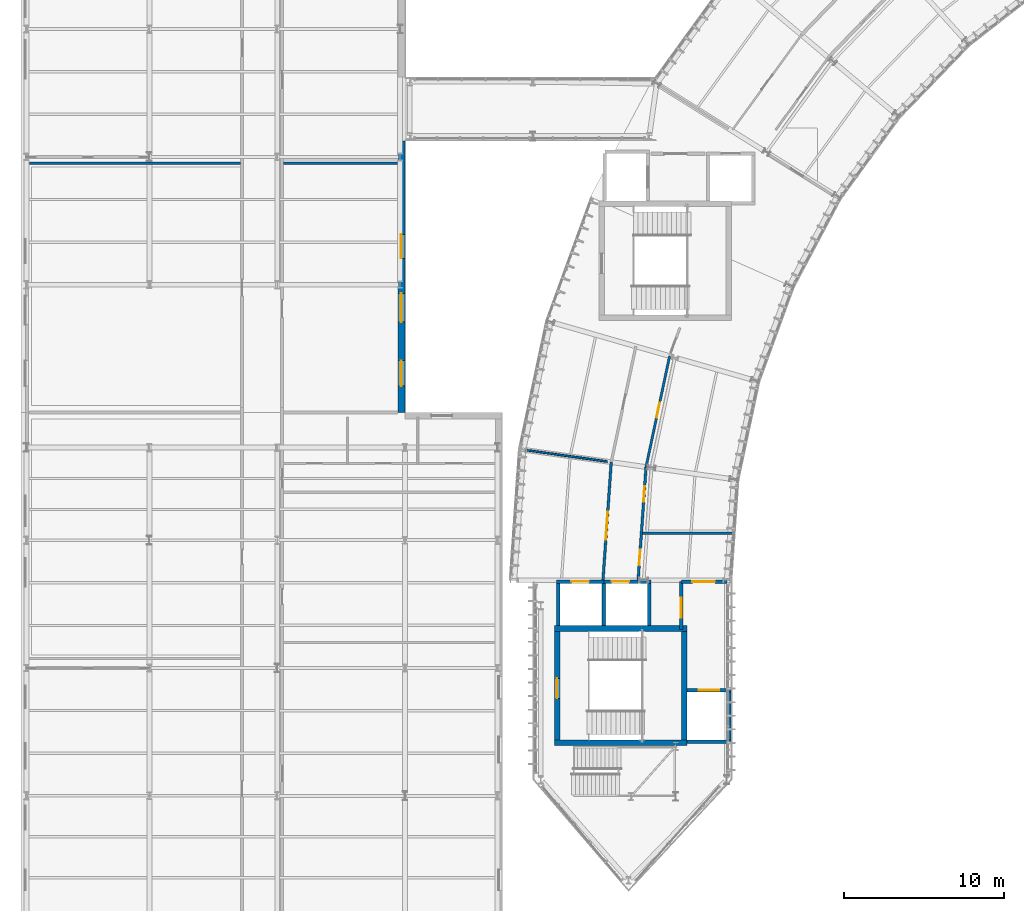
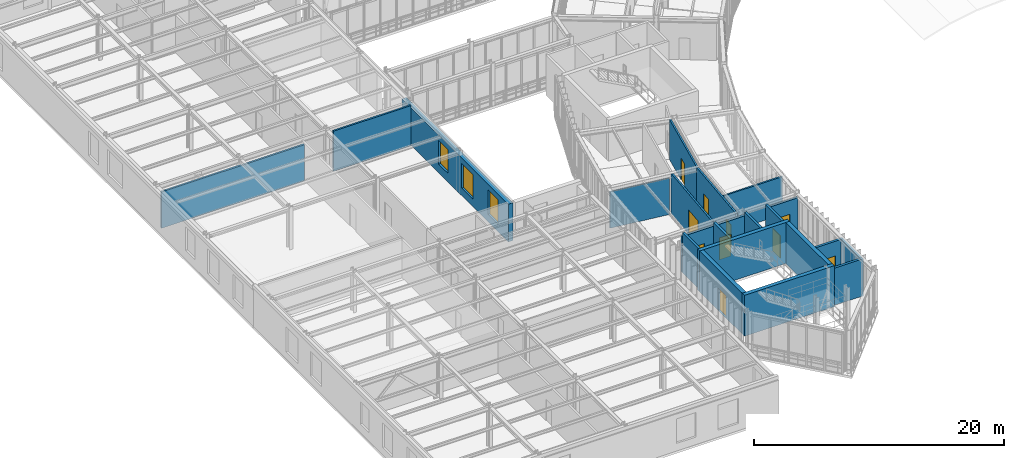
# One storey, part 41 of 57: 22 walls, 10 doors, 3 windows, 13 openings.
"""IFC4 building model written with IfcOpenShell, lengths in metres."""

import ifcopenshell
import ifcopenshell.guid

model = None  # the IFC model being written
_history = None  # IfcOwnerHistory: only IFC2X3 demands one
_inside = {}  # id of a spatial element -> (the spatial element, [elements in it])
_under = {}  # id of a project, library or spatial element -> (it, [spatial elements below it])
_declared = {}  # id of a project -> (the project, [libraries it declares])
_typed = {}  # id of a type object -> (the type object, [elements of that type])
_made_of = {}  # id of a material, layer set ... -> (it, [elements and type objects made of it])


def new_model(schema):
    """Start an empty IFC model of exactly this schema.

    Asked for "IFC4X3", IfcOpenShell would pick the latest addendum, in which some entities
    have other attributes; the version numbers below select the first issue.
    IFC2X3 requires an IfcOwnerHistory on every rooted entity: one is made here for all.
    """
    global model, _history
    if schema == "IFC4X3":
        model = ifcopenshell.file(schema_version=(4, 3, 0, 0))
    else:
        model = ifcopenshell.file(schema=schema)
    _inside.clear()
    _under.clear()
    _declared.clear()
    _typed.clear()
    _made_of.clear()
    _history = None
    if model.schema == "IFC2X3":
        org = make("IfcOrganization", Name="unknown")
        user = make(
            "IfcPersonAndOrganization",
            ThePerson=make("IfcPerson", FamilyName="unknown"),
            TheOrganization=org,
        )
        app = make(
            "IfcApplication",
            ApplicationDeveloper=org,
            Version="unknown",
            ApplicationFullName="unknown",
            ApplicationIdentifier="unknown",
        )
        _history = make(
            "IfcOwnerHistory",
            OwningUser=user,
            OwningApplication=app,
            ChangeAction="ADDED",
            CreationDate=0,
        )
    return model


def make(cls, **values):
    """One entity of the class cls with the attributes given. An attribute that is None is left unset."""
    return model.create_entity(
        cls, **{name: value for name, value in values.items() if value is not None}
    )


def rooted(cls, **values):
    """An entity with a GlobalId (a new one), such as an element, a storey or a relation."""
    return make(cls, GlobalId=ifcopenshell.guid.new(), OwnerHistory=_history, **values)


def si_unit(unit_type, name, prefix=None):
    """IfcSIUnit, for example si_unit("LENGTHUNIT", "METRE", prefix="MILLI")."""
    return make("IfcSIUnit", UnitType=unit_type, Prefix=prefix, Name=name)


def assignment(units):
    """IfcUnitAssignment: the units of a project."""
    return None if units is None else make("IfcUnitAssignment", Units=units)


def point(xyz):
    """IfcCartesianPoint."""
    return None if xyz is None else make("IfcCartesianPoint", Coordinates=xyz)


def direction(xyz):
    """IfcDirection."""
    return None if xyz is None else make("IfcDirection", DirectionRatios=xyz)


def frame(location, z_axis=None, x_axis=None):
    """IfcAxis2Placement3D, a coordinate frame: its origin and axes. An axis left out is left unset."""
    return make(
        "IfcAxis2Placement3D",
        Location=point(location),
        Axis=direction(z_axis),
        RefDirection=direction(x_axis),
    )


def frame_2d(location, x_axis=None):
    """IfcAxis2Placement2D, a coordinate frame in the plane: its origin and x axis."""
    return make(
        "IfcAxis2Placement2D", Location=point(location), RefDirection=direction(x_axis)
    )


def origin():
    """The frame at (0, 0, 0) with its axes left unset."""
    return frame((0.0, 0.0, 0.0))


def place(relative_to, where):
    """IfcLocalPlacement: puts the frame where relative to a parent placement (None: the world)."""
    return make(
        "IfcLocalPlacement", PlacementRelTo=relative_to, RelativePlacement=where
    )


def context(
    kind, dimensions, precision=None, world=None, true_north=None, identifier=None
):
    """IfcGeometricRepresentationContext, for example the 3D "Model" context."""
    return make(
        "IfcGeometricRepresentationContext",
        ContextIdentifier=identifier,
        ContextType=kind,
        CoordinateSpaceDimension=dimensions,
        Precision=precision,
        WorldCoordinateSystem=world,
        TrueNorth=true_north,
    )


def subcontext(parent, identifier, kind, view, scale=None):
    """IfcGeometricRepresentationSubContext, for example "Body" below "Model"."""
    return make(
        "IfcGeometricRepresentationSubContext",
        ContextIdentifier=identifier,
        ContextType=kind,
        ParentContext=parent,
        TargetScale=scale,
        TargetView=view,
    )


def project(units=None, contexts=None):
    """IfcProject with its units and contexts."""
    return rooted(
        "IfcProject",
        Name="project",
        RepresentationContexts=contexts,
        UnitsInContext=assignment(units),
    )


def spatial(cls, under=None, at=None, **own):
    """A site, building, storey or space (cls), placed at a placement, below another one or the project."""
    s = rooted(cls, ObjectPlacement=at, **own)
    if under is not None:
        _under.setdefault(under.id(), (under, []))[1].append(s)
    return s


def profile(cls, at=None, kind="AREA", **sizes):
    """A parametric profile (cls). Its sizes go by their IFC names, for example OverallWidth=200.0."""
    return make(cls, ProfileType=kind, Position=at, **sizes)


def rectangle(**sizes):
    """IfcRectangleProfileDef."""
    return profile("IfcRectangleProfileDef", **sizes)


def extrude(swept, where, along, depth):
    """IfcExtrudedAreaSolid: the profile swept, set in the frame where, extruded along a direction by depth."""
    return make(
        "IfcExtrudedAreaSolid",
        SweptArea=swept,
        Position=where,
        ExtrudedDirection=direction(along),
        Depth=depth,
    )


def shape(context_of_items, identifier, shape_type, items):
    """IfcShapeRepresentation: the items that make up one representation, for example the "Body"."""
    return make(
        "IfcShapeRepresentation",
        ContextOfItems=context_of_items,
        RepresentationIdentifier=identifier,
        RepresentationType=shape_type,
        Items=items,
    )


def material(Name=None, Category=None):
    """IfcMaterial."""
    return make("IfcMaterial", Name=Name, Category=Category)


def layer(
    of_material, thickness, ventilated=None, Name=None, Category=None, Priority=None
):
    """IfcMaterialLayer: one layer of a wall or slab, of a material (None: an air gap)."""
    return make(
        "IfcMaterialLayer",
        Material=of_material,
        LayerThickness=thickness,
        IsVentilated=ventilated,
        Name=Name,
        Category=Category,
        Priority=Priority,
    )


def layer_set(layers, Name=None):
    """IfcMaterialLayerSet."""
    return make("IfcMaterialLayerSet", MaterialLayers=layers, LayerSetName=Name)


def made_of(thing, what):
    """Note that an element or type object is made of a material, layer set ...; save() writes the relation."""
    if what is not None:
        _made_of.setdefault(what.id(), (what, []))[1].append(thing)
    return thing


def type_object(cls, material=None, **own):
    """A type object (cls), such as IfcWallType, which elements share."""
    return made_of(rooted(cls, **own), material)


def element(
    cls,
    number,
    at=None,
    inside=None,
    cuts=None,
    type_object=None,
    material=None,
    context=None,
    identifier="Body",
    shape_type=None,
    held_by="IfcProductDefinitionShape",
    body=None,
    shapes=None,
    **own,
):
    """One element of the class cls, such as IfcWall. Its Tag is "e" and its number.

    at: its placement. inside: the storey or other place that contains it. cuts: it is an
    opening in that element (IfcRelVoidsElement). A single representation is given by context,
    identifier, shape_type and body (its items); several are given by shapes. held_by: the class
    of the entity that holds the representations. save() writes the other relations.
    """
    e = rooted(cls, Tag="e%d" % number, ObjectPlacement=at, **own)
    if body is not None:
        shapes = [shape(context, identifier, shape_type, body)]
    if shapes is not None:
        e.Representation = make(held_by, Representations=shapes)
    if inside is not None:
        _inside.setdefault(inside.id(), (inside, []))[1].append(e)
    if cuts is not None:
        rooted(
            "IfcRelVoidsElement", RelatingBuildingElement=cuts, RelatedOpeningElement=e
        )
    if type_object is not None:
        _typed.setdefault(type_object.id(), (type_object, []))[1].append(e)
    return made_of(e, material)


def fill(opening, filler):
    """IfcRelFillsElement: the door or window that sits in an opening."""
    return rooted(
        "IfcRelFillsElement",
        RelatingOpeningElement=opening,
        RelatedBuildingElement=filler,
    )


def aggregate(whole, parts):
    """IfcRelAggregates: a whole, such as a stair, and the parts it consists of."""
    return rooted("IfcRelAggregates", RelatingObject=whole, RelatedObjects=parts)


def save(model, path):
    """Write the relations noted so far, then the file.

    IfcRelAggregates (storeys below a building ...), IfcRelContainedInSpatialStructure (elements
    in a storey), IfcRelDefinesByType, IfcRelAssociatesMaterial and IfcRelDeclares: one each for
    every whole, place, type object, material and project.
    """
    for whole, parts in _under.values():
        aggregate(whole, parts)
    for where, things in _inside.values():
        rooted(
            "IfcRelContainedInSpatialStructure",
            RelatedElements=things,
            RelatingStructure=where,
        )
    for kind, things in _typed.values():
        rooted("IfcRelDefinesByType", RelatedObjects=things, RelatingType=kind)
    for what, things in _made_of.values():
        rooted("IfcRelAssociatesMaterial", RelatedObjects=things, RelatingMaterial=what)
    for by, libraries in _declared.values():
        rooted("IfcRelDeclares", RelatingContext=by, RelatedDefinitions=libraries)
    model.write(path)


model = new_model("IFC4")

# Units and contexts
model_context = context("Model", 3, precision=1e-05, world=origin(), true_north=direction((0.0, 1.0)))
body_context = subcontext(model_context, "Body", "Model", "MODEL_VIEW")
ifc_project = project(units=[si_unit("LENGTHUNIT", "METRE"), si_unit("AREAUNIT", "SQUARE_METRE"), si_unit("VOLUMEUNIT", "CUBIC_METRE"), si_unit("PLANEANGLEUNIT", "RADIAN"), si_unit("MASSUNIT", "GRAM", prefix="KILO"), si_unit("THERMODYNAMICTEMPERATUREUNIT", "KELVIN"), si_unit("POWERUNIT", "WATT")], contexts=[model_context])

# Site, building, storey
site_placement = place(None, origin())
site = spatial("IfcSite", under=ifc_project, at=site_placement, CompositionType="ELEMENT")
building_placement = place(site_placement, origin())
building = spatial("IfcBuilding", under=site, at=building_placement, Name="Solvatero Civic Police Headquarters", CompositionType="ELEMENT")
storey_placement = place(building_placement, frame((0.0, 0.0, 9.300048828125)))
storey = spatial("IfcBuildingStorey", under=building, at=storey_placement, Name="L02", CompositionType="ELEMENT", Elevation=9.300048828125)

# Wall, openings, windows
ifc_material_1 = material(Name="Cream Limestone Ashlar", Category="masonry")
ifc_layer_1 = layer(ifc_material_1, 0.419921875)
ifc_layer_set_1 = layer_set([ifc_layer_1], Name="Cream Limestone Ashlar")
wall_type_1 = type_object("IfcWallType", Name="WL-EXT-LIME-420", PredefinedType="SOLIDWALL", material=ifc_layer_set_1)
wall_1_placement = place(storey_placement, frame((28.280029296875, 36.5, 0.0), z_axis=(0.0, 0.0, 1.0), x_axis=(0.0, 1.0, 0.0)))
wall_1 = element("IfcWall", 1, at=wall_1_placement, inside=storey, type_object=wall_type_1, Name="Exterior Wall WLE-L02-V6-EA", PredefinedType="SOLIDWALL", context=body_context, shape_type="SweptSolid", body=[
    extrude(rectangle(XDim=17.0, YDim=0.419921875, at=frame_2d((8.5, 0.0))), origin(), (0.0, 0.0, 1.0), 3.679931640625),
])
opening_1_placement = place(wall_1_placement, frame((1.64990234375, 0.0, 0.739990234375)))
opening_1 = element("IfcOpeningElement", 2, at=opening_1_placement, cuts=wall_1, Name="Opening W-04", PredefinedType="OPENING", context=body_context, shape_type="SweptSolid", body=[
    extrude(rectangle(XDim=1.60009765625, YDim=2.39990234375, at=frame_2d((0.800048828125, 1.199951171875))), frame((0.0, 0.219970703125, 0.0), z_axis=(0.0, -1.0, 0.0), x_axis=(1.0, 0.0, 0.0)), (0.0, 0.0, 1.0), 0.43994140625),
])
opening_2_placement = place(wall_1_placement, frame((5.64990234375, 0.0, 0.739990234375)))
opening_2 = element("IfcOpeningElement", 3, at=opening_2_placement, cuts=wall_1, Name="Opening W-05", PredefinedType="OPENING", context=body_context, shape_type="SweptSolid", body=[
    extrude(rectangle(XDim=1.800048828125, YDim=2.39990234375, at=frame_2d((0.89990234375, 1.199951171875))), frame((0.0, 0.219970703125, 0.0), z_axis=(0.0, -1.0, 0.0), x_axis=(1.0, 0.0, 0.0)), (0.0, 0.0, 1.0), 0.43994140625),
])
opening_3_placement = place(wall_1_placement, frame((9.64990234375, 0.0, 0.840087890625)))
opening_3 = element("IfcOpeningElement", 4, at=opening_3_placement, cuts=wall_1, Name="Opening W-03", PredefinedType="OPENING", context=body_context, shape_type="SweptSolid", body=[
    extrude(rectangle(XDim=1.5, YDim=2.300048828125, at=frame_2d((0.75, 1.14990234375))), frame((0.0, 0.219970703125, 0.0), z_axis=(0.0, -1.0, 0.0), x_axis=(1.0, 0.0, 0.0)), (0.0, 0.0, 1.0), 0.43994140625),
])
ifc_material_2 = material(Name="Anodized Bronze Aluminium", Category="aluminium")
window_type_1 = type_object("IfcWindowType", Name="WN-CL-150x230", PartitioningType="SINGLE_PANEL", PredefinedType="WINDOW", material=ifc_material_2)
window_1_placement = place(opening_3_placement, origin())
window_1 = element("IfcWindow", 5, at=window_1_placement, inside=storey, type_object=window_type_1, Name="Exterior Window 0077", OverallHeight=2.300048828125, OverallWidth=1.5, PartitioningType="SINGLE_PANEL", PredefinedType="WINDOW", context=body_context, shape_type="SweptSolid", body=[
    extrude(rectangle(XDim=1.5, YDim=2.300048828125, at=frame_2d((0.75, 1.14990234375))), frame((0.0, 0.030029296875, 0.0), z_axis=(0.0, -1.0, 0.0), x_axis=(1.0, 0.0, 0.0)), (0.0, 0.0, 1.0), 0.06005859375),
])
fill(opening_3, window_1)
window_type_2 = type_object("IfcWindowType", Name="WN-CL-160x240", PartitioningType="SINGLE_PANEL", PredefinedType="WINDOW", material=ifc_material_2)
window_2_placement = place(opening_1_placement, origin())
window_2 = element("IfcWindow", 6, at=window_2_placement, inside=storey, type_object=window_type_2, Name="Exterior Window 0075", OverallHeight=2.39990234375, OverallWidth=1.60009765625, PartitioningType="SINGLE_PANEL", PredefinedType="WINDOW", context=body_context, shape_type="SweptSolid", body=[
    extrude(rectangle(XDim=1.60009765625, YDim=2.39990234375, at=frame_2d((0.800048828125, 1.199951171875))), frame((0.0, 0.030029296875, 0.0), z_axis=(0.0, -1.0, 0.0), x_axis=(1.0, 0.0, 0.0)), (0.0, 0.0, 1.0), 0.06005859375),
])
fill(opening_1, window_2)
window_type_3 = type_object("IfcWindowType", Name="WN-CL-180x240", PartitioningType="SINGLE_PANEL", PredefinedType="WINDOW", material=ifc_material_2)
window_3_placement = place(opening_2_placement, origin())
window_3 = element("IfcWindow", 7, at=window_3_placement, inside=storey, type_object=window_type_3, Name="Exterior Window 0076", OverallHeight=2.39990234375, OverallWidth=1.800048828125, PartitioningType="SINGLE_PANEL", PredefinedType="WINDOW", context=body_context, shape_type="SweptSolid", body=[
    extrude(rectangle(XDim=1.800048828125, YDim=2.39990234375, at=frame_2d((0.89990234375, 1.199951171875))), frame((0.0, 0.030029296875, 0.0), z_axis=(0.0, -1.0, 0.0), x_axis=(1.0, 0.0, 0.0)), (0.0, 0.0, 1.0), 0.06005859375),
])
fill(opening_2, window_3)

# Wall
ifc_material_3 = material(Name="Gypsum Acoustic Stud", Category="gypsum")
ifc_layer_2 = layer(ifc_material_3, 0.1201171875)
ifc_layer_set_2 = layer_set([ifc_layer_2], Name="Gypsum Acoustic Stud")
wall_type_2 = type_object("IfcWallType", Name="WL-PTN-120", PredefinedType="PARTITIONING", material=ifc_layer_set_2)
wall_2_placement = place(storey_placement, frame((41.169189453125, 33.4248046875, 0.0), z_axis=(0.0, 0.0, 1.0), x_axis=(-0.990266484291, 0.13918437445, 0.0)))
element("IfcWall", 8, at=wall_2_placement, inside=storey, type_object=wall_type_2, Name="Interior Partition WLP-L02-ARC-RAD-B11", PredefinedType="PARTITIONING", context=body_context, shape_type="SweptSolid", body=[
    extrude(rectangle(XDim=5.14990234375, YDim=0.1201171875, at=frame_2d((2.574951171875, 0.0))), origin(), (0.0, 0.0, 1.0), 3.550048828125),
])

# Wall, opening, door
ifc_layer_3 = layer(ifc_material_3, 0.14990234375)
ifc_layer_set_3 = layer_set([ifc_layer_3], Name="Gypsum Acoustic Stud")
wall_type_3 = type_object("IfcWallType", Name="WL-PTN-150", PredefinedType="PARTITIONING", material=ifc_layer_set_3)
wall_3_placement = place(storey_placement, frame((45.07177734375, 40.02978515625, 0.0), z_axis=(0.0, 0.0, 1.0), x_axis=(-0.207903987445, -0.978149238104, 0.0)))
wall_3 = element("IfcWall", 9, at=wall_3_placement, inside=storey, type_object=wall_type_3, Name="Interior Partition WLP-L02-ARC-CIN-B11", PredefinedType="PARTITIONING", context=body_context, shape_type="SweptSolid", body=[
    extrude(rectangle(XDim=7.10107421875, YDim=0.14990234375, at=frame_2d((3.550537109375, 0.0))), origin(), (0.0, 0.0, 1.0), 3.919921875),
])
opening_4_placement = place(wall_3_placement, frame((2.98193359375, 0.0, 0.0)))
opening_4 = element("IfcOpeningElement", 10, at=opening_4_placement, cuts=wall_3, Name="Opening ID-04", PredefinedType="OPENING", context=body_context, shape_type="SweptSolid", body=[
    extrude(rectangle(XDim=0.949951171875, YDim=2.14990234375, at=frame_2d((0.47509765625, 1.074951171875))), frame((0.0, 0.0849609375, 0.0), z_axis=(0.0, -1.0, 0.0), x_axis=(1.0, 0.0, 0.0)), (0.0, 0.0, 1.0), 0.169921875),
])
ifc_material_4 = material(Name="Acoustic Oak Timber Veneer", Category="wood")
door_type_1 = type_object("IfcDoorType", Name="DR-ACC-095x215", OperationType="NOTDEFINED", PredefinedType="DOOR", material=ifc_material_4)
door_1_placement = place(opening_4_placement, origin())
door_1 = element("IfcDoor", 11, at=door_1_placement, inside=storey, type_object=door_type_1, Name="Interior Door DR-L02-ARC-IN-B11", OperationType="SINGLE_SWING_LEFT", OverallHeight=2.14990234375, OverallWidth=0.949951171875, PredefinedType="DOOR", context=body_context, shape_type="SweptSolid", body=[
    extrude(rectangle(XDim=0.949951171875, YDim=2.14990234375, at=frame_2d((0.47509765625, 1.074951171875))), frame((0.0, 0.02490234375, 0.0), z_axis=(0.0, -1.0, 0.0), x_axis=(1.0, 0.0, 0.0)), (0.0, 0.0, 1.0), 0.050048828125),
])
fill(opening_4, door_1)

# Walls
wall_4_placement = place(storey_placement, frame((43.374755859375, 28.929931640625, 0.0), z_axis=(0.0, 0.0, 1.0), x_axis=(1.0, 0.0, 0.0)))
element("IfcWall", 12, at=wall_4_placement, inside=storey, type_object=wall_type_3, Name="Interior Partition WLP-L02-ARC-WCDIV-B12", PredefinedType="PARTITIONING", context=body_context, shape_type="SweptSolid", body=[
    extrude(rectangle(XDim=5.630126953125, YDim=0.14990234375, at=frame_2d((2.81494140625, 0.0))), origin(), (0.0, 0.0, 1.0), 3.697998046875),
])
ifc_material_5 = material(Name="Concrete Blockwork", Category="masonry")
ifc_layer_4 = layer(ifc_material_5, 0.1650390625)
ifc_layer_set_4 = layer_set([ifc_layer_4], Name="Concrete Blockwork")
wall_type_4 = type_object("IfcWallType", Name="WL-PTN-165", PredefinedType="PARTITIONING", material=ifc_layer_set_4)
wall_5_placement = place(storey_placement, frame((5.0, 52.10009765625, 0.0), z_axis=(0.0, 0.0, 1.0), x_axis=(1.0, 0.0, 0.0)))
element("IfcWall", 13, at=wall_5_placement, inside=storey, type_object=wall_type_4, Name="Interior Partition WLP-L02-V6-H1", PredefinedType="PARTITIONING", context=body_context, shape_type="SweptSolid", body=[
    extrude(rectangle(XDim=13.199951171875, YDim=0.1650390625, at=frame_2d((6.60009765625, 0.0))), origin(), (0.0, 0.0, 1.0), 3.5478515625),
])
wall_6_placement = place(storey_placement, frame((20.89990234375, 52.10009765625, 0.0), z_axis=(0.0, 0.0, 1.0), x_axis=(1.0, 0.0, 0.0)))
element("IfcWall", 14, at=wall_6_placement, inside=storey, type_object=wall_type_4, Name="Interior Partition WLP-L02-V6-H2", PredefinedType="PARTITIONING", context=body_context, shape_type="SweptSolid", body=[
    extrude(rectangle(XDim=7.150146484375, YDim=0.1650390625, at=frame_2d((3.5751953125, 0.0))), origin(), (0.0, 0.0, 1.0), 3.919921875),
])

# Wall, openings, doors
wall_7_placement = place(storey_placement, frame((43.595458984375, 33.083984375, 0.0), z_axis=(0.0, 0.0, 1.0), x_axis=(-0.069756597752, -0.997564041588, 0.0)))
wall_7 = element("IfcWall", 15, at=wall_7_placement, inside=storey, type_object=wall_type_4, Name="Interior Partition WLP-L02-ARC-CIN-B12", PredefinedType="PARTITIONING", context=body_context, shape_type="SweptSolid", body=[
    extrude(rectangle(XDim=7.101318359375, YDim=0.1650390625, at=frame_2d((3.55078125, 0.0))), origin(), (0.0, 0.0, 1.0), 3.919921875),
])
opening_5_placement = place(wall_7_placement, frame((5.200927734375, 0.0, 0.0)))
opening_5 = element("IfcOpeningElement", 16, at=opening_5_placement, cuts=wall_7, Name="Opening ID-04", PredefinedType="OPENING", context=body_context, shape_type="SweptSolid", body=[
    extrude(rectangle(XDim=0.949951171875, YDim=2.14990234375, at=frame_2d((0.47509765625, 1.074951171875))), frame((0.0, 0.092529296875, 0.0), z_axis=(0.0, -1.0, 0.0), x_axis=(1.0, 0.0, 0.0)), (0.0, 0.0, 1.0), 0.18505859375),
])
opening_6_placement = place(wall_7_placement, frame((1.199951171875, 0.0, 0.0)))
opening_6 = element("IfcOpeningElement", 17, at=opening_6_placement, cuts=wall_7, Name="Opening ID-05", PredefinedType="OPENING", context=body_context, shape_type="SweptSolid", body=[
    extrude(rectangle(XDim=0.97998046875, YDim=2.159912109375, at=frame_2d((0.489990234375, 1.080078125))), frame((0.0, 0.092529296875, 0.0), z_axis=(0.0, -1.0, 0.0), x_axis=(1.0, 0.0, 0.0)), (0.0, 0.0, 1.0), 0.18505859375),
])
door_2_placement = place(opening_5_placement, origin())
door_2 = element("IfcDoor", 18, at=door_2_placement, inside=storey, type_object=door_type_1, Name="Interior Door DR-L02-ARC-WC-B12", OperationType="SINGLE_SWING_LEFT", OverallHeight=2.14990234375, OverallWidth=0.949951171875, PredefinedType="DOOR", context=body_context, shape_type="SweptSolid", body=[
    extrude(rectangle(XDim=0.949951171875, YDim=2.14990234375, at=frame_2d((0.47509765625, 1.074951171875))), frame((0.0, 0.02490234375, 0.0), z_axis=(0.0, -1.0, 0.0), x_axis=(1.0, 0.0, 0.0)), (0.0, 0.0, 1.0), 0.050048828125),
])
fill(opening_5, door_2)
ifc_material_6 = material(Name="Powder-Coated Steel", Category="steel")
door_type_2 = type_object("IfcDoorType", Name="DR-OFF-098x216", OperationType="NOTDEFINED", PredefinedType="DOOR", material=ifc_material_6)
door_3_placement = place(opening_6_placement, origin())
door_3 = element("IfcDoor", 19, at=door_3_placement, inside=storey, type_object=door_type_2, Name="Interior Door DR-L02-ARC-IN-B12", OperationType="SINGLE_SWING_RIGHT", OverallHeight=2.159912109375, OverallWidth=0.97998046875, PredefinedType="DOOR", context=body_context, shape_type="SweptSolid", body=[
    extrude(rectangle(XDim=0.97998046875, YDim=2.159912109375, at=frame_2d((0.489990234375, 1.080078125))), frame((0.0, 0.02490234375, 0.0), z_axis=(0.0, -1.0, 0.0), x_axis=(1.0, 0.0, 0.0)), (0.0, 0.0, 1.0), 0.050048828125),
])
fill(opening_6, door_3)

# Wall, opening, door
wall_8_placement = place(storey_placement, frame((41.416748046875, 33.39013671875, 0.0), z_axis=(0.0, 0.0, 1.0), x_axis=(-0.069766817412, -0.997563326906, 0.0)))
wall_8 = element("IfcWall", 20, at=wall_8_placement, inside=storey, type_object=wall_type_4, Name="Interior Partition WLP-L02-ARC-COUT-B12", PredefinedType="PARTITIONING", context=body_context, shape_type="SweptSolid", body=[
    extrude(rectangle(XDim=7.408203125, YDim=0.1650390625, at=frame_2d((3.7041015625, 0.0))), origin(), (0.0, 0.0, 1.0), 3.919921875),
])
opening_7_placement = place(wall_8_placement, frame((3.111083984375, 0.0, 0.0)))
opening_7 = element("IfcOpeningElement", 21, at=opening_7_placement, cuts=wall_8, Name="Opening ID-17", PredefinedType="OPENING", context=body_context, shape_type="SweptSolid", body=[
    extrude(rectangle(XDim=1.760009765625, YDim=2.360107421875, at=frame_2d((0.8798828125, 1.18017578125))), frame((0.0, 0.092529296875, 0.0), z_axis=(0.0, -1.0, 0.0), x_axis=(1.0, 0.0, 0.0)), (0.0, 0.0, 1.0), 0.18505859375),
])
door_type_3 = type_object("IfcDoorType", Name="DR-DBL-176x236", OperationType="NOTDEFINED", PredefinedType="DOOR", material=ifc_material_6)
door_4_placement = place(opening_7_placement, origin())
door_4 = element("IfcDoor", 22, at=door_4_placement, inside=storey, type_object=door_type_3, Name="Interior Door DR-L02-ARC-OUT-B12", OperationType="DOUBLE_DOOR_SINGLE_SWING", OverallHeight=2.360107421875, OverallWidth=1.760009765625, PredefinedType="DOOR", context=body_context, shape_type="SweptSolid", body=[
    extrude(rectangle(XDim=1.760009765625, YDim=2.360107421875, at=frame_2d((0.8798828125, 1.18017578125))), frame((0.0, 0.02490234375, 0.0), z_axis=(0.0, -1.0, 0.0), x_axis=(1.0, 0.0, 0.0)), (0.0, 0.0, 1.0), 0.050048828125),
])
fill(opening_7, door_4)

ifc_layer_5 = layer(ifc_material_5, 0.199951171875)
ifc_layer_set_5 = layer_set([ifc_layer_5], Name="Concrete Blockwork")
wall_type_5 = type_object("IfcWallType", Name="WL-PTN-200", PredefinedType="PARTITIONING", material=ifc_layer_set_5)
wall_9_placement = place(storey_placement, frame((45.800048828125, 22.89990234375, 0.0), z_axis=(0.0, 0.0, 1.0), x_axis=(0.0, 1.0, 0.0)))
wall_9 = element("IfcWall", 23, at=wall_9_placement, inside=storey, type_object=wall_type_5, Name="Interior Partition WLP-FFL-C1-L02-W", PredefinedType="PARTITIONING", context=body_context, shape_type="SweptSolid", body=[
    extrude(rectangle(XDim=3.0, YDim=0.199951171875, at=frame_2d((1.5, 0.0))), origin(), (0.0, 0.0, 1.0), 3.919921875),
])
opening_8_placement = place(wall_9_placement, frame((0.75, 0.0, 0.0)))
opening_8 = element("IfcOpeningElement", 24, at=opening_8_placement, cuts=wall_9, Name="Opening FD-01", PredefinedType="OPENING", context=body_context, shape_type="SweptSolid", body=[
    extrude(rectangle(XDim=1.25, YDim=2.199951171875, at=frame_2d((0.625, 1.10009765625))), frame((0.0, 0.10986328125, 0.0), z_axis=(0.0, -1.0, 0.0), x_axis=(1.0, 0.0, 0.0)), (0.0, 0.0, 1.0), 0.219970703125),
])
door_type_4 = type_object("IfcDoorType", Name="DR-STR-125x220", OperationType="NOTDEFINED", PredefinedType="DOOR", material=ifc_material_6)
door_5_placement = place(opening_8_placement, origin())
door_5 = element("IfcDoor", 25, at=door_5_placement, inside=storey, type_object=door_type_4, Name="Interior Door DR-FFL-C1-L02-W", OperationType="SINGLE_SWING_LEFT", OverallHeight=2.199951171875, OverallWidth=1.25, PredefinedType="DOOR", context=body_context, shape_type="SweptSolid", body=[
    extrude(rectangle(XDim=1.25, YDim=2.199951171875, at=frame_2d((0.625, 1.10009765625))), frame((0.0, 0.02490234375, 0.0), z_axis=(0.0, -1.0, 0.0), x_axis=(1.0, 0.0, 0.0)), (0.0, 0.0, 1.0), 0.050048828125),
])
fill(opening_8, door_5)

wall_10_placement = place(storey_placement, frame((45.800048828125, 25.89990234375, 0.0), z_axis=(0.0, 0.0, 1.0), x_axis=(1.0, 0.0, 0.0)))
wall_10 = element("IfcWall", 26, at=wall_10_placement, inside=storey, type_object=wall_type_5, Name="Interior Partition WLP-FFL-C1-L02-N", PredefinedType="PARTITIONING", context=body_context, shape_type="SweptSolid", body=[
    extrude(rectangle(XDim=2.849853515625, YDim=0.199951171875, at=frame_2d((1.4248046875, 0.0))), origin(), (0.0, 0.0, 1.0), 3.599853515625),
])
opening_9_placement = place(wall_10_placement, frame((0.699951171875, 0.0, 0.0)))
opening_9 = element("IfcOpeningElement", 27, at=opening_9_placement, cuts=wall_10, Name="Opening FD-02", PredefinedType="OPENING", context=body_context, shape_type="SweptSolid", body=[
    extrude(rectangle(XDim=1.39990234375, YDim=2.25, at=frame_2d((0.699951171875, 1.125))), frame((0.0, 0.10986328125, 0.0), z_axis=(0.0, -1.0, 0.0), x_axis=(1.0, 0.0, 0.0)), (0.0, 0.0, 1.0), 0.219970703125),
])
door_type_5 = type_object("IfcDoorType", Name="DR-LOB-140x225", OperationType="NOTDEFINED", PredefinedType="DOOR", material=ifc_material_6)
door_6_placement = place(opening_9_placement, origin())
door_6 = element("IfcDoor", 28, at=door_6_placement, inside=storey, type_object=door_type_5, Name="Interior Door DR-FFL-C1-L02-ACC", OperationType="DOUBLE_DOOR_SINGLE_SWING", OverallHeight=2.25, OverallWidth=1.39990234375, PredefinedType="DOOR", context=body_context, shape_type="SweptSolid", body=[
    extrude(rectangle(XDim=1.39990234375, YDim=2.25, at=frame_2d((0.699951171875, 1.125))), frame((0.0, 0.02490234375, 0.0), z_axis=(0.0, -1.0, 0.0), x_axis=(1.0, 0.0, 0.0)), (0.0, 0.0, 1.0), 0.050048828125),
])
fill(opening_9, door_6)

# Wall
ifc_material_7 = material(Name="Concrete C35/45", Category="concrete")
ifc_layer_6 = layer(ifc_material_7, 0.219970703125)
ifc_layer_set_6 = layer_set([ifc_layer_6], Name="Concrete C35/45")
wall_type_6 = type_object("IfcWallType", Name="WL-SHF-220", PredefinedType="PARTITIONING", material=ifc_layer_set_6)
wall_11_placement = place(storey_placement, frame((46.159912109375, 15.889892578125, 0.0), z_axis=(0.0, 0.0, 1.0), x_axis=(1.0, 0.0, 0.0)))
element("IfcWall", 29, at=wall_11_placement, inside=storey, type_object=wall_type_6, Name="Lift Shaft Wall WLS-FL-01-L02-S", PredefinedType="PARTITIONING", context=body_context, shape_type="SweptSolid", body=[
    extrude(rectangle(XDim=2.760009765625, YDim=0.219970703125, at=frame_2d((1.3798828125, 0.0))), origin(), (0.0, 0.0, 1.0), 3.637939453125),
])

# Wall, opening, door
wall_12_placement = place(storey_placement, frame((46.159912109375, 19.110107421875, 0.0), z_axis=(0.0, 0.0, 1.0), x_axis=(1.0, 0.0, 0.0)))
wall_12 = element("IfcWall", 30, at=wall_12_placement, inside=storey, type_object=wall_type_6, Name="Lift Shaft Wall WLS-FL-01-L02-N", PredefinedType="PARTITIONING", context=body_context, shape_type="SweptSolid", body=[
    extrude(rectangle(XDim=2.760009765625, YDim=0.219970703125, at=frame_2d((1.3798828125, 0.0))), origin(), (0.0, 0.0, 1.0), 3.637939453125),
])
opening_10_placement = place(wall_12_placement, frame((0.72998046875, 0.0, 0.0)))
opening_10 = element("IfcOpeningElement", 31, at=opening_10_placement, cuts=wall_12, Name="Opening LD-02", PredefinedType="OPENING", context=body_context, shape_type="SweptSolid", body=[
    extrude(rectangle(XDim=1.300048828125, YDim=2.199951171875, at=frame_2d((0.64990234375, 1.10009765625))), frame((0.0, 0.119873046875, 0.0), z_axis=(0.0, -1.0, 0.0), x_axis=(1.0, 0.0, 0.0)), (0.0, 0.0, 1.0), 0.239990234375),
])
ifc_material_8 = material(Name="Stainless Steel Grade 316", Category="steel")
door_type_6 = type_object("IfcDoorType", Name="DR-LFT-130x220", OperationType="DOUBLE_DOOR_SLIDING", PredefinedType="DOOR", material=ifc_material_8)
door_7_placement = place(opening_10_placement, origin())
door_7 = element("IfcDoor", 32, at=door_7_placement, inside=storey, type_object=door_type_6, Name="Interior Door DR-LFT-FL-01-L02", OperationType="DOUBLE_DOOR_SLIDING", OverallHeight=2.199951171875, OverallWidth=1.300048828125, PredefinedType="DOOR", context=body_context, shape_type="SweptSolid", body=[
    extrude(rectangle(XDim=1.300048828125, YDim=2.199951171875, at=frame_2d((0.64990234375, 1.10009765625))), frame((0.0, 0.02490234375, 0.0), z_axis=(0.0, -1.0, 0.0), x_axis=(1.0, 0.0, 0.0)), (0.0, 0.0, 1.0), 0.050048828125),
])
fill(opening_10, door_7)

# Wall
wall_13_placement = place(storey_placement, frame((48.81005859375, 16.0, 0.0), z_axis=(0.0, 0.0, 1.0), x_axis=(0.0, 1.0, 0.0)))
element("IfcWall", 33, at=wall_13_placement, inside=storey, type_object=wall_type_6, Name="Lift Shaft Wall WLS-FL-01-L02-E", PredefinedType="PARTITIONING", context=body_context, shape_type="SweptSolid", body=[
    extrude(rectangle(XDim=3.0, YDim=0.219970703125, at=frame_2d((1.5, 0.0))), origin(), (0.0, 0.0, 1.0), 3.639892578125),
])

# Wall, opening, door
wall_14_placement = place(storey_placement, frame((37.97998046875, 25.909912109375, 0.0), z_axis=(0.0, 0.0, 1.0), x_axis=(1.0, 0.0, 0.0)))
wall_14 = element("IfcWall", 34, at=wall_14_placement, inside=storey, type_object=wall_type_6, Name="Lift Shaft Wall WLS-LP-01-L02-N", PredefinedType="PARTITIONING", context=body_context, shape_type="SweptSolid", body=[
    extrude(rectangle(XDim=2.969970703125, YDim=0.219970703125, at=frame_2d((1.48486328125, 0.0))), origin(), (0.0, 0.0, 1.0), 3.550048828125),
])
opening_11_placement = place(wall_14_placement, frame((0.93505859375, 0.0, 0.0)))
opening_11 = element("IfcOpeningElement", 35, at=opening_11_placement, cuts=wall_14, Name="Opening LD-01", PredefinedType="OPENING", context=body_context, shape_type="SweptSolid", body=[
    extrude(rectangle(XDim=1.10009765625, YDim=2.14990234375, at=frame_2d((0.550048828125, 1.074951171875))), frame((0.0, 0.119873046875, 0.0), z_axis=(0.0, -1.0, 0.0), x_axis=(1.0, 0.0, 0.0)), (0.0, 0.0, 1.0), 0.239990234375),
])
door_type_7 = type_object("IfcDoorType", Name="DR-LFT-110x215", OperationType="DOUBLE_DOOR_SLIDING", PredefinedType="DOOR", material=ifc_material_8)
door_8_placement = place(opening_11_placement, origin())
door_8 = element("IfcDoor", 36, at=door_8_placement, inside=storey, type_object=door_type_7, Name="Interior Door DR-LFT-LP-01-L02", OperationType="DOUBLE_DOOR_SLIDING", OverallHeight=2.14990234375, OverallWidth=1.10009765625, PredefinedType="DOOR", context=body_context, shape_type="SweptSolid", body=[
    extrude(rectangle(XDim=1.10009765625, YDim=2.14990234375, at=frame_2d((0.550048828125, 1.074951171875))), frame((0.0, 0.02490234375, 0.0), z_axis=(0.0, -1.0, 0.0), x_axis=(1.0, 0.0, 0.0)), (0.0, 0.0, 1.0), 0.050048828125),
])
fill(opening_11, door_8)

# Walls
for number, where, z_axis, x_axis, name in (
    (37, (38.090087890625, 23.159912109375, 0.0), (0.0, 0.0, 1.0), (0.0, 1.0, 0.0), "Lift Shaft Wall WLS-LP-01-L02-W"),
    (38, (40.949951171875, 23.159912109375, 0.0), (0.0, 0.0, 1.0), (0.0, 1.0, 0.0), "Lift Shaft Wall WLS-LP-01-L02-E"),
):
    element("IfcWall", number, at=place(storey_placement, frame(where, z_axis=z_axis, x_axis=x_axis)), inside=storey, type_object=wall_type_6, Name=name, PredefinedType="PARTITIONING", context=body_context, shape_type="SweptSolid", body=[
        extrude(rectangle(XDim=2.64013671875, YDim=0.219970703125, at=frame_2d((1.320068359375, 0.0))), origin(), (0.0, 0.0, 1.0), 3.919921875),
    ])

# Wall, opening, door
wall_15_placement = place(storey_placement, frame((40.949951171875, 25.909912109375, 0.0), z_axis=(0.0, 0.0, 1.0), x_axis=(1.0, 0.0, 0.0)))
wall_15 = element("IfcWall", 39, at=wall_15_placement, inside=storey, type_object=wall_type_6, Name="Lift Shaft Wall WLS-LP-02-L02-N", PredefinedType="PARTITIONING", context=body_context, shape_type="SweptSolid", body=[
    extrude(rectangle(XDim=2.969970703125, YDim=0.219970703125, at=frame_2d((1.48486328125, 0.0))), origin(), (0.0, 0.0, 1.0), 3.550048828125),
])
opening_12_placement = place(wall_15_placement, frame((0.485107421875, 0.0, 0.0)))
opening_12 = element("IfcOpeningElement", 40, at=opening_12_placement, cuts=wall_15, Name="Opening LD-01", PredefinedType="OPENING", context=body_context, shape_type="SweptSolid", body=[
    extrude(rectangle(XDim=1.10009765625, YDim=2.14990234375, at=frame_2d((0.550048828125, 1.074951171875))), frame((0.0, 0.119873046875, 0.0), z_axis=(0.0, -1.0, 0.0), x_axis=(1.0, 0.0, 0.0)), (0.0, 0.0, 1.0), 0.239990234375),
])
door_9_placement = place(opening_12_placement, origin())
door_9 = element("IfcDoor", 41, at=door_9_placement, inside=storey, type_object=door_type_7, Name="Interior Door DR-LFT-LP-02-L02", OperationType="DOUBLE_DOOR_SLIDING", OverallHeight=2.14990234375, OverallWidth=1.10009765625, PredefinedType="DOOR", context=body_context, shape_type="SweptSolid", body=[
    extrude(rectangle(XDim=1.10009765625, YDim=2.14990234375, at=frame_2d((0.550048828125, 1.074951171875))), frame((0.0, 0.02490234375, 0.0), z_axis=(0.0, -1.0, 0.0), x_axis=(1.0, 0.0, 0.0)), (0.0, 0.0, 1.0), 0.050048828125),
])
fill(opening_12, door_9)

# Walls
wall_16_placement = place(storey_placement, frame((43.81005859375, 23.159912109375, 0.0), z_axis=(0.0, 0.0, 1.0), x_axis=(0.0, 1.0, 0.0)))
element("IfcWall", 42, at=wall_16_placement, inside=storey, type_object=wall_type_6, Name="Lift Shaft Wall WLS-LP-02-L02-E", PredefinedType="PARTITIONING", context=body_context, shape_type="SweptSolid", body=[
    extrude(rectangle(XDim=2.64013671875, YDim=0.219970703125, at=frame_2d((1.320068359375, 0.0))), origin(), (0.0, 0.0, 1.0), 3.919921875),
])
ifc_material_9 = material(Name="Concrete C40/50", Category="concrete")
ifc_layer_7 = layer(ifc_material_9, 0.35009765625)
ifc_layer_set_7 = layer_set([ifc_layer_7], Name="Concrete C40/50")
wall_type_7 = type_object("IfcWallType", Name="WL-SHR-350", PredefinedType="SHEAR", material=ifc_layer_set_7)
for number, where, z_axis, x_axis, name in (
    (43, (37.85009765625, 15.824951171875, 0.0), (0.0, 0.0, 1.0), (1.0, 0.0, 0.0), "Core C1 Shear Wall S L02"),
    (44, (37.85009765625, 22.97509765625, 0.0), (0.0, 0.0, 1.0), (1.0, 0.0, 0.0), "Core C1 Shear Wall N L02"),
):
    element("IfcWall", number, at=place(storey_placement, frame(where, z_axis=z_axis, x_axis=x_axis)), inside=storey, type_object=wall_type_7, Name=name, PredefinedType="SHEAR", context=body_context, shape_type="SweptSolid", body=[
        extrude(rectangle(XDim=8.2998046875, YDim=0.35009765625, at=frame_2d((4.14990234375, 0.0))), origin(), (0.0, 0.0, 1.0), 4.0),
    ])

# Wall, opening, door
wall_17_placement = place(storey_placement, frame((38.02490234375, 16.0, 0.0), z_axis=(0.0, 0.0, 1.0), x_axis=(0.0, 1.0, 0.0)))
wall_17 = element("IfcWall", 45, at=wall_17_placement, inside=storey, type_object=wall_type_7, Name="Core C1 Shear Wall W L02", PredefinedType="SHEAR", context=body_context, shape_type="SweptSolid", body=[
    extrude(rectangle(XDim=6.800048828125, YDim=0.35009765625, at=frame_2d((3.39990234375, 0.0))), origin(), (0.0, 0.0, 1.0), 4.0),
])
opening_13_placement = place(wall_17_placement, frame((2.60009765625, 0.0, 0.0)))
opening_13 = element("IfcOpeningElement", 46, at=opening_13_placement, cuts=wall_17, Name="Opening FD-01", PredefinedType="OPENING", context=body_context, shape_type="SweptSolid", body=[
    extrude(rectangle(XDim=1.25, YDim=2.199951171875, at=frame_2d((0.625, 1.10009765625))), frame((0.0, 0.18505859375, 0.0), z_axis=(0.0, -1.0, 0.0), x_axis=(1.0, 0.0, 0.0)), (0.0, 0.0, 1.0), 0.3701171875),
])
door_10_placement = place(opening_13_placement, origin())
door_10 = element("IfcDoor", 47, at=door_10_placement, inside=storey, type_object=door_type_4, Name="Interior Door DR-STR-C1-L02", OperationType="SINGLE_SWING_LEFT", OverallHeight=2.199951171875, OverallWidth=1.25, PredefinedType="DOOR", context=body_context, shape_type="SweptSolid", body=[
    extrude(rectangle(XDim=1.25, YDim=2.199951171875, at=frame_2d((0.625, 1.10009765625))), frame((0.0, 0.02490234375, 0.0), z_axis=(0.0, -1.0, 0.0), x_axis=(1.0, 0.0, 0.0)), (0.0, 0.0, 1.0), 0.050048828125),
])
fill(opening_13, door_10)

# Wall
wall_18_placement = place(storey_placement, frame((45.97509765625, 16.0, 0.0), z_axis=(0.0, 0.0, 1.0), x_axis=(0.0, 1.0, 0.0)))
element("IfcWall", 48, at=wall_18_placement, inside=storey, type_object=wall_type_7, Name="Core C1 Shear Wall E L02", PredefinedType="SHEAR", context=body_context, shape_type="SweptSolid", body=[
    extrude(rectangle(XDim=6.800048828125, YDim=0.35009765625, at=frame_2d((3.39990234375, 0.0))), origin(), (0.0, 0.0, 1.0), 4.0),
])

save(model, "model.ifc")
